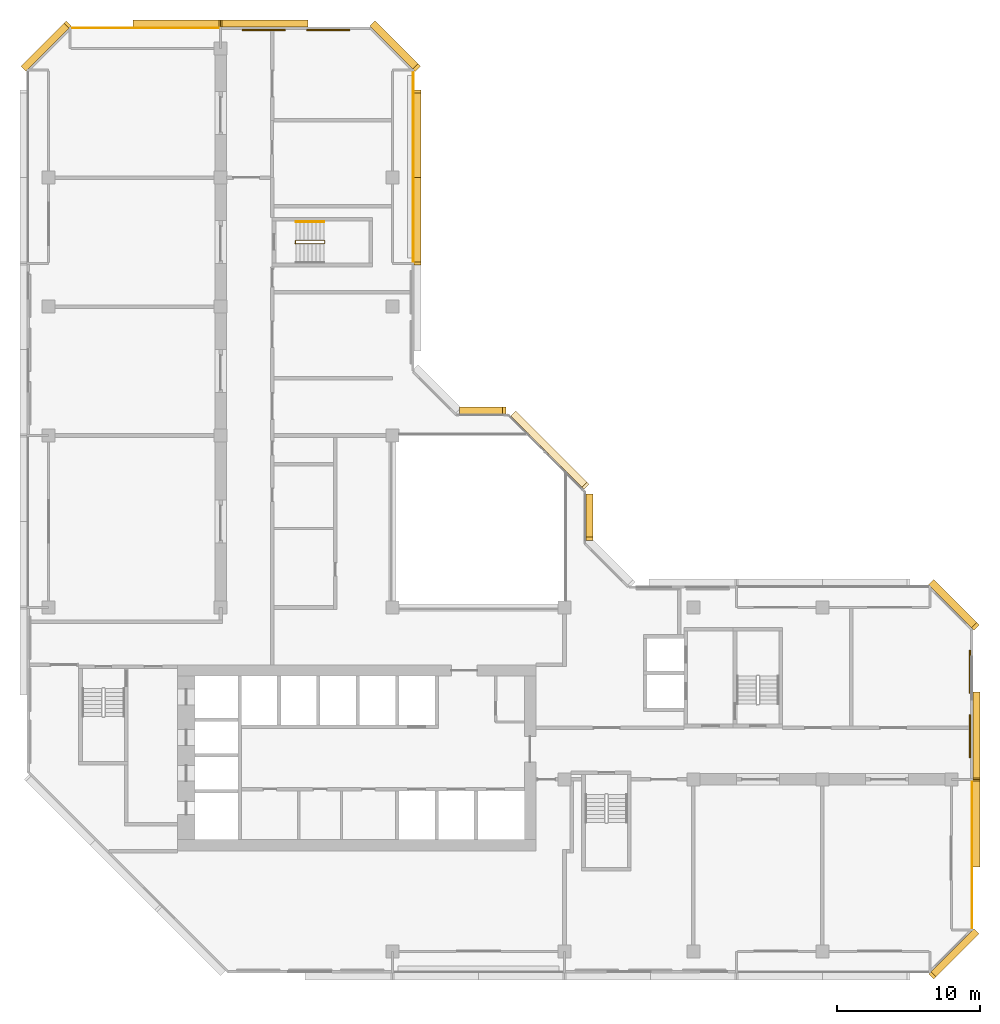
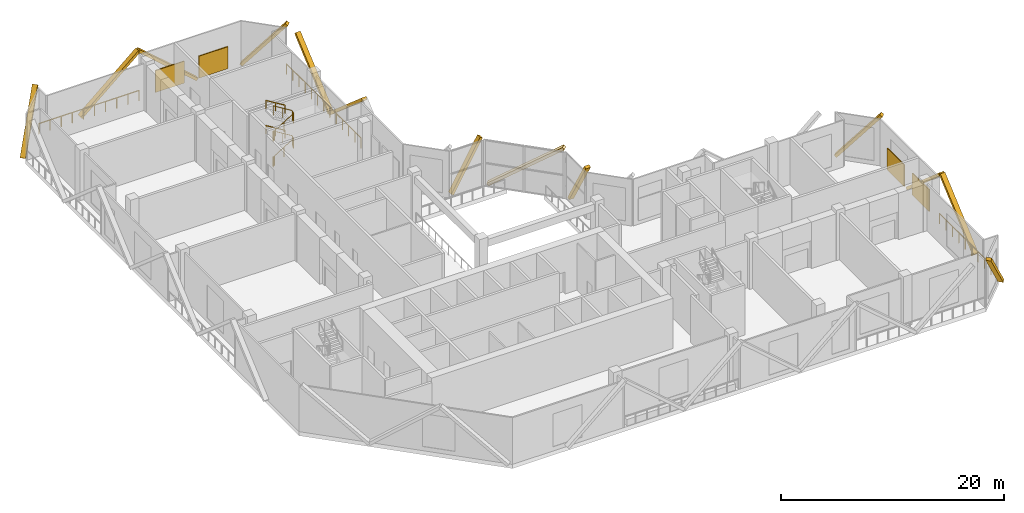
# One storey, part 11 of 11: 13 coverings, 6 railings, 4 shading devices.
"""IFC4 building model written with IfcOpenShell, lengths in metres."""

from ifc_helpers import new_model, si_unit, direction, frame, origin, origin_2d, place, context, subcontext, project, spatial, rectangle, extrude, material, material_profile, profile_set, type_object, element, save


model = new_model("IFC4")

# Units and contexts
model_context = context("Model", 3, precision=1e-05, world=origin(), true_north=direction((0.0, 1.0)))
body_context = subcontext(model_context, "Body", "Model", "MODEL_VIEW")
ifc_project = project(units=[si_unit("LENGTHUNIT", "METRE"), si_unit("AREAUNIT", "SQUARE_METRE"), si_unit("VOLUMEUNIT", "CUBIC_METRE"), si_unit("PLANEANGLEUNIT", "RADIAN"), si_unit("MASSUNIT", "GRAM", prefix="KILO")], contexts=[model_context])

# Site, building, storey
site_placement = place(None, origin())
site = spatial("IfcSite", under=ifc_project, at=site_placement, CompositionType="ELEMENT")
building_placement = place(site_placement, origin())
building = spatial("IfcBuilding", under=site, at=building_placement, Name="Chenar Terraces", CompositionType="ELEMENT")
storey_placement = place(building_placement, frame((0.0, 0.0, 206.14990234375)))
storey = spatial("IfcBuildingStorey", under=building, at=storey_placement, Name="L48", CompositionType="ELEMENT", Elevation=206.14990234375)

# Railings
ifc_material_1 = material(Name="Stainless steel and glass", Category="steel")
railing_type_1 = type_object("IfcRailingType", Name="Loggia guard 1150", PredefinedType="GUARDRAIL", material=ifc_material_1)
railing_1_placement = place(storey_placement, frame((25.449951171875, 48.074951171875, 0.0)))
element("IfcRailing", 1, at=railing_1_placement, inside=storey, type_object=railing_type_1, Name="Loggia guard", PredefinedType="GUARDRAIL", context=body_context, shape_type="SweptSolid", body=[
    extrude(rectangle(XDim=0.048095703125, YDim=0.048095703125, at=origin_2d()), frame((0.0, 0.0, 1.1259765625), z_axis=(0.0, 1.0, 0.0), x_axis=(-1.0, 0.0, 0.0)), (0.0, 0.0, 1.0), 13.35009765625),
    extrude(rectangle(XDim=0.0419921875, YDim=0.0419921875, at=origin_2d()), origin(), (0.0, 0.0, 1.0), 1.101806640625),
    extrude(rectangle(XDim=0.0419921875, YDim=0.0419921875, at=origin_2d()), frame((0.0, 1.112548828125, 0.0)), (0.0, 0.0, 1.0), 1.101806640625),
    extrude(rectangle(XDim=0.0419921875, YDim=0.0419921875, at=origin_2d()), frame((0.0, 2.22509765625, 0.0)), (0.0, 0.0, 1.0), 1.101806640625),
    extrude(rectangle(XDim=0.0419921875, YDim=0.0419921875, at=origin_2d()), frame((0.0, 3.33740234375, 0.0)), (0.0, 0.0, 1.0), 1.101806640625),
    extrude(rectangle(XDim=0.0419921875, YDim=0.0419921875, at=origin_2d()), frame((0.0, 4.449951171875, 0.0)), (0.0, 0.0, 1.0), 1.101806640625),
    extrude(rectangle(XDim=0.0419921875, YDim=0.0419921875, at=origin_2d()), frame((0.0, 5.5625, 0.0)), (0.0, 0.0, 1.0), 1.101806640625),
    extrude(rectangle(XDim=0.0419921875, YDim=0.0419921875, at=origin_2d()), frame((0.0, 6.675048828125, 0.0)), (0.0, 0.0, 1.0), 1.101806640625),
    extrude(rectangle(XDim=0.0419921875, YDim=0.0419921875, at=origin_2d()), frame((0.0, 7.78759765625, 0.0)), (0.0, 0.0, 1.0), 1.101806640625),
    extrude(rectangle(XDim=0.0419921875, YDim=0.0419921875, at=origin_2d()), frame((0.0, 8.900146484375, 0.0)), (0.0, 0.0, 1.0), 1.101806640625),
    extrude(rectangle(XDim=0.0419921875, YDim=0.0419921875, at=origin_2d()), frame((0.0, 10.0126953125, 0.0)), (0.0, 0.0, 1.0), 1.101806640625),
    extrude(rectangle(XDim=0.0419921875, YDim=0.0419921875, at=origin_2d()), frame((0.0, 11.125, 0.0)), (0.0, 0.0, 1.0), 1.101806640625),
    extrude(rectangle(XDim=0.0419921875, YDim=0.0419921875, at=origin_2d()), frame((0.0, 12.237548828125, 0.0)), (0.0, 0.0, 1.0), 1.101806640625),
    extrude(rectangle(XDim=0.0419921875, YDim=0.0419921875, at=origin_2d()), frame((0.0, 13.35009765625, 0.0)), (0.0, 0.0, 1.0), 1.101806640625),
])
railing_2_placement = place(storey_placement, frame((64.449951171875, 1.574951171875, 0.0)))
element("IfcRailing", 2, at=railing_2_placement, inside=storey, type_object=railing_type_1, Name="Loggia guard", PredefinedType="GUARDRAIL", context=body_context, shape_type="SweptSolid", body=[
    extrude(rectangle(XDim=0.048095703125, YDim=0.048095703125, at=origin_2d()), frame((0.0, 0.0, 1.1259765625), z_axis=(0.0, 1.0, 0.0), x_axis=(-1.0, 0.0, 0.0)), (0.0, 0.0, 1.0), 10.35009765625),
    extrude(rectangle(XDim=0.0419921875, YDim=0.0419921875, at=origin_2d()), origin(), (0.0, 0.0, 1.0), 1.101806640625),
    extrude(rectangle(XDim=0.0419921875, YDim=0.0419921875, at=origin_2d()), frame((0.0, 1.14990234375, 0.0)), (0.0, 0.0, 1.0), 1.101806640625),
    extrude(rectangle(XDim=0.0419921875, YDim=0.0419921875, at=origin_2d()), frame((0.0, 2.300048828125, 0.0)), (0.0, 0.0, 1.0), 1.101806640625),
    extrude(rectangle(XDim=0.0419921875, YDim=0.0419921875, at=origin_2d()), frame((0.0, 3.449951171875, 0.0)), (0.0, 0.0, 1.0), 1.101806640625),
    extrude(rectangle(XDim=0.0419921875, YDim=0.0419921875, at=origin_2d()), frame((0.0, 4.60009765625, 0.0)), (0.0, 0.0, 1.0), 1.101806640625),
    extrude(rectangle(XDim=0.0419921875, YDim=0.0419921875, at=origin_2d()), frame((0.0, 5.75, 0.0)), (0.0, 0.0, 1.0), 1.101806640625),
    extrude(rectangle(XDim=0.0419921875, YDim=0.0419921875, at=origin_2d()), frame((0.0, 6.900146484375, 0.0)), (0.0, 0.0, 1.0), 1.101806640625),
    extrude(rectangle(XDim=0.0419921875, YDim=0.0419921875, at=origin_2d()), frame((0.0, 8.050048828125, 0.0)), (0.0, 0.0, 1.0), 1.101806640625),
    extrude(rectangle(XDim=0.0419921875, YDim=0.0419921875, at=origin_2d()), frame((0.0, 9.2001953125, 0.0)), (0.0, 0.0, 1.0), 1.101806640625),
    extrude(rectangle(XDim=0.0419921875, YDim=0.0419921875, at=origin_2d()), frame((0.0, 10.35009765625, 0.0)), (0.0, 0.0, 1.0), 1.101806640625),
])
railing_3_placement = place(storey_placement, frame((11.925048828125, 64.449951171875, 0.0)))
element("IfcRailing", 3, at=railing_3_placement, inside=storey, type_object=railing_type_1, Name="Loggia guard", PredefinedType="GUARDRAIL", context=body_context, shape_type="SweptSolid", body=[
    extrude(rectangle(XDim=0.048095703125, YDim=0.048095703125, at=origin_2d()), frame((0.0, 0.0, 1.1259765625), z_axis=(-1.0, 0.0, 0.0), x_axis=(0.0, -1.0, 0.0)), (0.0, 0.0, 1.0), 10.35009765625),
    extrude(rectangle(XDim=0.0419921875, YDim=0.0419921875, at=origin_2d()), origin(), (0.0, 0.0, 1.0), 1.101806640625),
    extrude(rectangle(XDim=0.0419921875, YDim=0.0419921875, at=origin_2d()), frame((-1.14990234375, 0.0, 0.0)), (0.0, 0.0, 1.0), 1.101806640625),
    extrude(rectangle(XDim=0.0419921875, YDim=0.0419921875, at=origin_2d()), frame((-2.300048828125, 0.0, 0.0)), (0.0, 0.0, 1.0), 1.101806640625),
    extrude(rectangle(XDim=0.0419921875, YDim=0.0419921875, at=origin_2d()), frame((-3.449951171875, 0.0, 0.0)), (0.0, 0.0, 1.0), 1.101806640625),
    extrude(rectangle(XDim=0.0419921875, YDim=0.0419921875, at=origin_2d()), frame((-4.60009765625, 0.0, 0.0)), (0.0, 0.0, 1.0), 1.101806640625),
    extrude(rectangle(XDim=0.0419921875, YDim=0.0419921875, at=origin_2d()), frame((-5.75, 0.0, 0.0)), (0.0, 0.0, 1.0), 1.101806640625),
    extrude(rectangle(XDim=0.0419921875, YDim=0.0419921875, at=origin_2d()), frame((-6.900146484375, 0.0, 0.0)), (0.0, 0.0, 1.0), 1.101806640625),
    extrude(rectangle(XDim=0.0419921875, YDim=0.0419921875, at=origin_2d()), frame((-8.050048828125, 0.0, 0.0)), (0.0, 0.0, 1.0), 1.101806640625),
    extrude(rectangle(XDim=0.0419921875, YDim=0.0419921875, at=origin_2d()), frame((-9.2001953125, 0.0, 0.0)), (0.0, 0.0, 1.0), 1.101806640625),
    extrude(rectangle(XDim=0.0419921875, YDim=0.0419921875, at=origin_2d()), frame((-10.35009765625, 0.0, 0.0)), (0.0, 0.0, 1.0), 1.101806640625),
])

# Shading devices
ifc_material_2 = material(Name="Powder-coated steel", Category="steel")
shading_device_type = type_object("IfcShadingDeviceType", Name="Sand-proof louvre bank 3000 x 2400", PredefinedType="USERDEFINED", material=ifc_material_2)
for number, where, z_axis, x_axis, name in (
    (4, (64.300048828125, 15.0, 0.4501953125), (0.0, 0.0, 1.0), (0.0, 1.0, 0.0), "Sand-proof louvre bank"),
    (5, (64.300048828125, 19.5, 0.4501953125), (0.0, 0.0, 1.0), (0.0, 1.0, 0.0), "Sand-proof louvre bank"),
    (6, (19.5, 64.300048828125, 0.4501953125), (0.0, 0.0, 1.0), (-1.0, 0.0, 0.0), "Sand-proof louvre bank"),
    (7, (15.0, 64.300048828125, 0.4501953125), (0.0, 0.0, 1.0), (-1.0, 0.0, 0.0), "Sand-proof louvre bank"),
):
    element("IfcShadingDevice", number, at=place(storey_placement, frame(where, z_axis=z_axis, x_axis=x_axis)), inside=storey, type_object=shading_device_type, Name=name, ObjectType="LOUVRE", PredefinedType="USERDEFINED", context=body_context, shape_type="SweptSolid", body=[
        extrude(rectangle(XDim=3.0, YDim=0.10009765625, at=origin_2d()), origin(), (0.0, 0.0, 1.0), 2.39990234375),
    ])

# Railings
ifc_material_3 = material(Name="Powder-coated steel", Category="steel")
railing_type_2 = type_object("IfcRailingType", Name="Stair guard 1100", PredefinedType="GUARDRAIL", material=ifc_material_3)
railing_4_placement = place(storey_placement, frame((17.25, 49.625, 5.5)))
element("IfcRailing", 8, at=railing_4_placement, inside=storey, type_object=railing_type_2, Name="L48 ST4 stair guard 1", PredefinedType="GUARDRAIL", context=body_context, shape_type="SweptSolid", body=[
    extrude(rectangle(XDim=0.048095703125, YDim=0.048095703125, at=origin_2d()), frame((0.0, 0.0, 1.076171875), z_axis=(0.852240978134, 0.0, -0.523149419562), x_axis=(0.0, 1.0, 0.0)), (0.0, 0.0, 1.0), 2.2998046875),
    extrude(rectangle(XDim=0.048095703125, YDim=0.048095703125, at=origin_2d()), frame((1.9599609375, 0.0, -0.126953125), z_axis=(0.269255725606, -0.269255725606, -0.92466356501), x_axis=(0.707106781187, 0.707106781187, 0.0)), (0.0, 0.0, 1.0), 0.185791015625),
    extrude(rectangle(XDim=0.048095703125, YDim=0.048095703125, at=origin_2d()), frame((2.010009765625, -0.050048828125, -0.298828125), z_axis=(0.0, -1.0, 0.0), x_axis=(1.0, 0.0, 0.0)), (0.0, 0.0, 1.0), 0.14990234375),
    extrude(rectangle(XDim=0.048095703125, YDim=0.048095703125, at=origin_2d()), frame((2.010009765625, -0.199951171875, -0.298828125), z_axis=(-0.707106781187, -0.707106781187, 0.0), x_axis=(0.707106781187, -0.707106781187, 0.0)), (0.0, 0.0, 1.0), 0.07080078125),
    extrude(rectangle(XDim=0.048095703125, YDim=0.048095703125, at=origin_2d()), frame((1.9599609375, -0.25, -0.298828125), z_axis=(-0.852240978134, 0.0, -0.523149419562), x_axis=(0.0, -1.0, 0.0)), (0.0, 0.0, 1.0), 2.2998046875),
    extrude(rectangle(XDim=0.048095703125, YDim=0.048095703125, at=origin_2d()), frame((0.0, -0.25, -1.501953125), z_axis=(-0.186486819998, 0.745037588186, -0.640423030626), x_axis=(-0.970072785993, -0.242814311512, 0.0)), (0.0, 0.0, 1.0), 0.268310546875),
    extrude(rectangle(XDim=0.048095703125, YDim=0.048095703125, at=origin_2d()), frame((-0.050048828125, -0.050048828125, -1.673828125), z_axis=(0.0, -1.0, 0.0), x_axis=(1.0, 0.0, 0.0)), (0.0, 0.0, 1.0), 0.14990234375),
    extrude(rectangle(XDim=0.048095703125, YDim=0.048095703125, at=origin_2d()), frame((-0.050048828125, -0.199951171875, -1.673828125), z_axis=(0.242814311512, 0.970072785993, 0.0), x_axis=(-0.970072785993, 0.242814311512, 0.0)), (0.0, 0.0, 1.0), 0.2060546875),
    extrude(rectangle(XDim=0.048095703125, YDim=0.048095703125, at=origin_2d()), frame((0.0, 0.0, -1.673828125), z_axis=(0.852240978134, 0.0, -0.523149419562), x_axis=(0.0, 1.0, 0.0)), (0.0, 0.0, 1.0), 2.2998046875),
    extrude(rectangle(XDim=0.048095703125, YDim=0.048095703125, at=origin_2d()), frame((1.9599609375, 0.0, -2.876953125), z_axis=(0.269255725606, -0.269255725606, -0.92466356501), x_axis=(0.707106781187, 0.707106781187, 0.0)), (0.0, 0.0, 1.0), 0.185791015625),
    extrude(rectangle(XDim=0.048095703125, YDim=0.048095703125, at=origin_2d()), frame((2.010009765625, -0.050048828125, -3.048828125), z_axis=(0.0, -1.0, 0.0), x_axis=(1.0, 0.0, 0.0)), (0.0, 0.0, 1.0), 0.14990234375),
    extrude(rectangle(XDim=0.048095703125, YDim=0.048095703125, at=origin_2d()), frame((2.010009765625, -0.199951171875, -3.048828125), z_axis=(-0.707106781187, -0.707106781187, 0.0), x_axis=(0.707106781187, -0.707106781187, 0.0)), (0.0, 0.0, 1.0), 0.07080078125),
    extrude(rectangle(XDim=0.048095703125, YDim=0.048095703125, at=origin_2d()), frame((1.9599609375, -0.25, -3.048828125), z_axis=(-0.852240978134, 0.0, -0.523149419562), x_axis=(0.0, -1.0, 0.0)), (0.0, 0.0, 1.0), 2.2998046875),
    extrude(rectangle(XDim=0.048095703125, YDim=0.048095703125, at=origin_2d()), frame((0.0, -0.25, -4.251953125), z_axis=(-0.269255725606, 0.269255725606, -0.92466356501), x_axis=(-0.707106781187, -0.707106781187, 0.0)), (0.0, 0.0, 1.0), 0.185791015625),
    extrude(rectangle(XDim=0.048095703125, YDim=0.048095703125, at=origin_2d()), frame((-0.050048828125, -0.199951171875, -4.423828125), z_axis=(0.0, 1.0, 0.0), x_axis=(-1.0, 0.0, 0.0)), (0.0, 0.0, 1.0), 0.14990234375),
    extrude(rectangle(XDim=0.0419921875, YDim=0.0419921875, at=origin_2d()), origin(), (0.0, 0.0, 1.0), 1.052001953125),
    extrude(rectangle(XDim=0.0419921875, YDim=0.0419921875, at=origin_2d()), frame((0.97998046875, 0.0, -0.6015625)), (0.0, 0.0, 1.0), 1.052001953125),
    extrude(rectangle(XDim=0.0419921875, YDim=0.0419921875, at=origin_2d()), frame((1.9599609375, 0.0, -1.203125)), (0.0, 0.0, 1.0), 1.052001953125),
    extrude(rectangle(XDim=0.0419921875, YDim=0.0419921875, at=origin_2d()), frame((2.010009765625, -0.050048828125, -1.375)), (0.0, 0.0, 1.0), 1.052001953125),
    extrude(rectangle(XDim=0.0419921875, YDim=0.0419921875, at=origin_2d()), frame((2.010009765625, -0.199951171875, -1.375)), (0.0, 0.0, 1.0), 1.052001953125),
    extrude(rectangle(XDim=0.0419921875, YDim=0.0419921875, at=origin_2d()), frame((1.9599609375, -0.25, -1.375)), (0.0, 0.0, 1.0), 1.052001953125),
    extrude(rectangle(XDim=0.0419921875, YDim=0.0419921875, at=origin_2d()), frame((0.97998046875, -0.25, -1.9765625)), (0.0, 0.0, 1.0), 1.052001953125),
    extrude(rectangle(XDim=0.0419921875, YDim=0.0419921875, at=origin_2d()), frame((0.0, -0.25, -2.578125)), (0.0, 0.0, 1.0), 1.052001953125),
    extrude(rectangle(XDim=0.0419921875, YDim=0.0419921875, at=origin_2d()), frame((-0.050048828125, -0.050048828125, -2.75)), (0.0, 0.0, 1.0), 1.052001953125),
    extrude(rectangle(XDim=0.0419921875, YDim=0.0419921875, at=origin_2d()), frame((-0.050048828125, -0.199951171875, -2.75)), (0.0, 0.0, 1.0), 1.052001953125),
    extrude(rectangle(XDim=0.0419921875, YDim=0.0419921875, at=origin_2d()), frame((0.0, 0.0, -2.75)), (0.0, 0.0, 1.0), 1.052001953125),
    extrude(rectangle(XDim=0.0419921875, YDim=0.0419921875, at=origin_2d()), frame((0.97998046875, 0.0, -3.3515625)), (0.0, 0.0, 1.0), 1.052001953125),
    extrude(rectangle(XDim=0.0419921875, YDim=0.0419921875, at=origin_2d()), frame((1.9599609375, 0.0, -3.953125)), (0.0, 0.0, 1.0), 1.052001953125),
    extrude(rectangle(XDim=0.0419921875, YDim=0.0419921875, at=origin_2d()), frame((2.010009765625, -0.050048828125, -4.125)), (0.0, 0.0, 1.0), 1.052001953125),
    extrude(rectangle(XDim=0.0419921875, YDim=0.0419921875, at=origin_2d()), frame((2.010009765625, -0.199951171875, -4.125)), (0.0, 0.0, 1.0), 1.052001953125),
    extrude(rectangle(XDim=0.0419921875, YDim=0.0419921875, at=origin_2d()), frame((1.9599609375, -0.25, -4.125)), (0.0, 0.0, 1.0), 1.052001953125),
    extrude(rectangle(XDim=0.0419921875, YDim=0.0419921875, at=origin_2d()), frame((0.97998046875, -0.25, -4.7265625)), (0.0, 0.0, 1.0), 1.052001953125),
    extrude(rectangle(XDim=0.0419921875, YDim=0.0419921875, at=origin_2d()), frame((0.0, -0.25, -5.328125)), (0.0, 0.0, 1.0), 1.052001953125),
    extrude(rectangle(XDim=0.0419921875, YDim=0.0419921875, at=origin_2d()), frame((-0.050048828125, -0.199951171875, -5.5)), (0.0, 0.0, 1.0), 1.052001953125),
    extrude(rectangle(XDim=0.0419921875, YDim=0.0419921875, at=origin_2d()), frame((-0.050048828125, -0.050048828125, -5.5)), (0.0, 0.0, 1.0), 1.052001953125),
])
ifc_material_4 = material(Name="Powder-coated steel", Category="steel")
railing_type_3 = type_object("IfcRailingType", Name="Stair handrail 900", PredefinedType="HANDRAIL", material=ifc_material_4)
for number, where, name in (
    (9, (19.2099609375, 50.925048828125, 1.546875), "L48 ST4 stair handrail 2"),
    (10, (19.2099609375, 50.925048828125, 4.296875), "L48 ST4 stair handrail 4"),
):
    element("IfcRailing", number, at=place(storey_placement, frame(where)), inside=storey, type_object=railing_type_3, Name=name, PredefinedType="HANDRAIL", context=body_context, shape_type="SweptSolid", body=[
        extrude(rectangle(XDim=0.048095703125, YDim=0.048095703125, at=origin_2d()), frame((0.0, 0.0, 0.8759765625), z_axis=(-0.852240978134, 0.0, 0.523149419562), x_axis=(0.0, -1.0, 0.0)), (0.0, 0.0, 1.0), 2.2998046875),
        extrude(rectangle(XDim=0.0419921875, YDim=0.0419921875, at=origin_2d()), origin(), (0.0, 0.0, 1.0), 0.851806640625),
        extrude(rectangle(XDim=0.0419921875, YDim=0.0419921875, at=origin_2d()), frame((-0.97998046875, 0.0, 0.6015625)), (0.0, 0.0, 1.0), 0.851806640625),
        extrude(rectangle(XDim=0.0419921875, YDim=0.0419921875, at=origin_2d()), frame((-1.9599609375, 0.0, 1.203125)), (0.0, 0.0, 1.0), 0.851806640625),
    ])

# Coverings
ifc_material_5 = material(Name="Terracotta", Category="masonry")
ifc_material_profile = material_profile(ifc_material_5, rectangle(XDim=0.5, YDim=0.300048828125, at=origin_2d()), Name="Terracotta baguette 500 x 300")
ifc_profile_set = profile_set([ifc_material_profile], Name="Terracotta")
covering_type = type_object("IfcCoveringType", Name="Terracotta baguette 500 x 300", PredefinedType="CLADDING", material=ifc_profile_set)
covering_1_placement = place(storey_placement, frame((37.75, 28.800048828125, 5.35009765625), z_axis=(0.0, 0.499725974117, -0.866183554908), x_axis=(-1.0, 0.0, 0.0)))
element("IfcCovering", 11, at=covering_1_placement, inside=storey, type_object=covering_type, Name="Terracotta baguette", PredefinedType="CLADDING", context=body_context, shape_type="SweptSolid", body=[
    extrude(rectangle(XDim=0.5, YDim=0.300048828125, at=origin_2d()), origin(), (0.0, 0.0, 1.0), 6.003173828125),
])
covering_2_placement = place(storey_placement, frame((37.464599609375, 32.489013671875, 5.35009765625), z_axis=(-0.568694771587, 0.568666868405, -0.59430989353), x_axis=(-0.707089433343, -0.707124128605, 0.0)))
element("IfcCovering", 12, at=covering_2_placement, inside=storey, type_object=covering_type, Name="Terracotta baguette", PredefinedType="CLADDING", context=body_context, shape_type="SweptSolid", body=[
    extrude(rectangle(XDim=0.5, YDim=0.300048828125, at=origin_2d()), origin(), (0.0, 0.0, 1.0), 8.74951171875),
])
covering_3_placement = place(storey_placement, frame((31.800048828125, 37.75, 5.35009765625), z_axis=(-0.499725974117, 0.0, -0.866183554908), x_axis=(0.0, -1.0, 0.0)))
element("IfcCovering", 13, at=covering_3_placement, inside=storey, type_object=covering_type, Name="Terracotta baguette", PredefinedType="CLADDING", context=body_context, shape_type="SweptSolid", body=[
    extrude(rectangle(XDim=0.5, YDim=0.300048828125, at=origin_2d()), origin(), (0.0, 0.0, 1.0), 6.003173828125),
])
for number, where, z_axis, x_axis, name in (
    (14, (25.75, 48.0, 5.35009765625), (0.0, 0.755692126483, -0.654927026447), (-1.0, 0.0, 0.0), "Terracotta baguette"),
    (15, (25.75, 54.0, 0.150146484375), (0.0, 0.755692126483, 0.654927026447), (-1.0, 0.0, 0.0), "Terracotta baguette"),
):
    element("IfcCovering", number, at=place(storey_placement, frame(where, z_axis=z_axis, x_axis=x_axis)), inside=storey, type_object=covering_type, Name=name, PredefinedType="CLADDING", context=body_context, shape_type="SweptSolid", body=[
        extrude(rectangle(XDim=0.5, YDim=0.300048828125, at=origin_2d()), origin(), (0.0, 0.0, 1.0), 7.939697265625),
    ])
covering_4_placement = place(storey_placement, frame((25.6767578125, 61.6767578125, 5.35009765625), z_axis=(-0.447017486301, 0.447017486301, -0.774823033913), x_axis=(-0.707106781187, -0.707106781187, 0.0)))
element("IfcCovering", 16, at=covering_4_placement, inside=storey, type_object=covering_type, Name="Terracotta baguette", PredefinedType="CLADDING", context=body_context, shape_type="SweptSolid", body=[
    extrude(rectangle(XDim=0.5, YDim=0.300048828125, at=origin_2d()), origin(), (0.0, 0.0, 1.0), 6.711181640625),
])
for number, where, z_axis, x_axis, name in (
    (17, (18.0, 64.75, 0.150146484375), (-0.755692126483, 0.0, 0.654927026447), (0.0, -1.0, 0.0), "Terracotta baguette"),
    (18, (12.0, 64.75, 5.35009765625), (-0.755692126483, 0.0, -0.654927026447), (0.0, -1.0, 0.0), "Terracotta baguette"),
):
    element("IfcCovering", number, at=place(storey_placement, frame(where, z_axis=z_axis, x_axis=x_axis)), inside=storey, type_object=covering_type, Name=name, PredefinedType="CLADDING", context=body_context, shape_type="SweptSolid", body=[
        extrude(rectangle(XDim=0.5, YDim=0.300048828125, at=origin_2d()), origin(), (0.0, 0.0, 1.0), 7.939697265625),
    ])
for number, where, z_axis, x_axis, name in (
    (19, (1.3232421875, 64.6767578125, 5.35009765625), (-0.447017486301, -0.447017486301, -0.774823033913), (0.707106781187, -0.707106781187, 0.0), "Terracotta baguette"),
    (20, (61.6767578125, -1.6767578125, 5.35009765625), (0.447017486301, 0.447017486301, -0.774823033913), (-0.707106781187, 0.707106781187, 0.0), "Terracotta baguette"),
):
    element("IfcCovering", number, at=place(storey_placement, frame(where, z_axis=z_axis, x_axis=x_axis)), inside=storey, type_object=covering_type, Name=name, PredefinedType="CLADDING", context=body_context, shape_type="SweptSolid", body=[
        extrude(rectangle(XDim=0.5, YDim=0.300048828125, at=origin_2d()), origin(), (0.0, 0.0, 1.0), 6.711181640625),
    ])
for number, where, z_axis, x_axis, name in (
    (21, (64.75, 6.0, 0.150146484375), (0.0, 0.755692126483, 0.654927026447), (-1.0, 0.0, 0.0), "Terracotta baguette"),
    (22, (64.75, 12.0, 5.35009765625), (0.0, 0.755692126483, -0.654927026447), (-1.0, 0.0, 0.0), "Terracotta baguette"),
):
    element("IfcCovering", number, at=place(storey_placement, frame(where, z_axis=z_axis, x_axis=x_axis)), inside=storey, type_object=covering_type, Name=name, PredefinedType="CLADDING", context=body_context, shape_type="SweptSolid", body=[
        extrude(rectangle(XDim=0.5, YDim=0.300048828125, at=origin_2d()), origin(), (0.0, 0.0, 1.0), 7.939697265625),
    ])
covering_5_placement = place(storey_placement, frame((64.6767578125, 22.6767578125, 5.35009765625), z_axis=(-0.447017486301, 0.447017486301, -0.774823033913), x_axis=(-0.707106781187, -0.707106781187, 0.0)))
element("IfcCovering", 23, at=covering_5_placement, inside=storey, type_object=covering_type, Name="Terracotta baguette", PredefinedType="CLADDING", context=body_context, shape_type="SweptSolid", body=[
    extrude(rectangle(XDim=0.5, YDim=0.300048828125, at=origin_2d()), origin(), (0.0, 0.0, 1.0), 6.711181640625),
])

save(model, "model.ifc")
